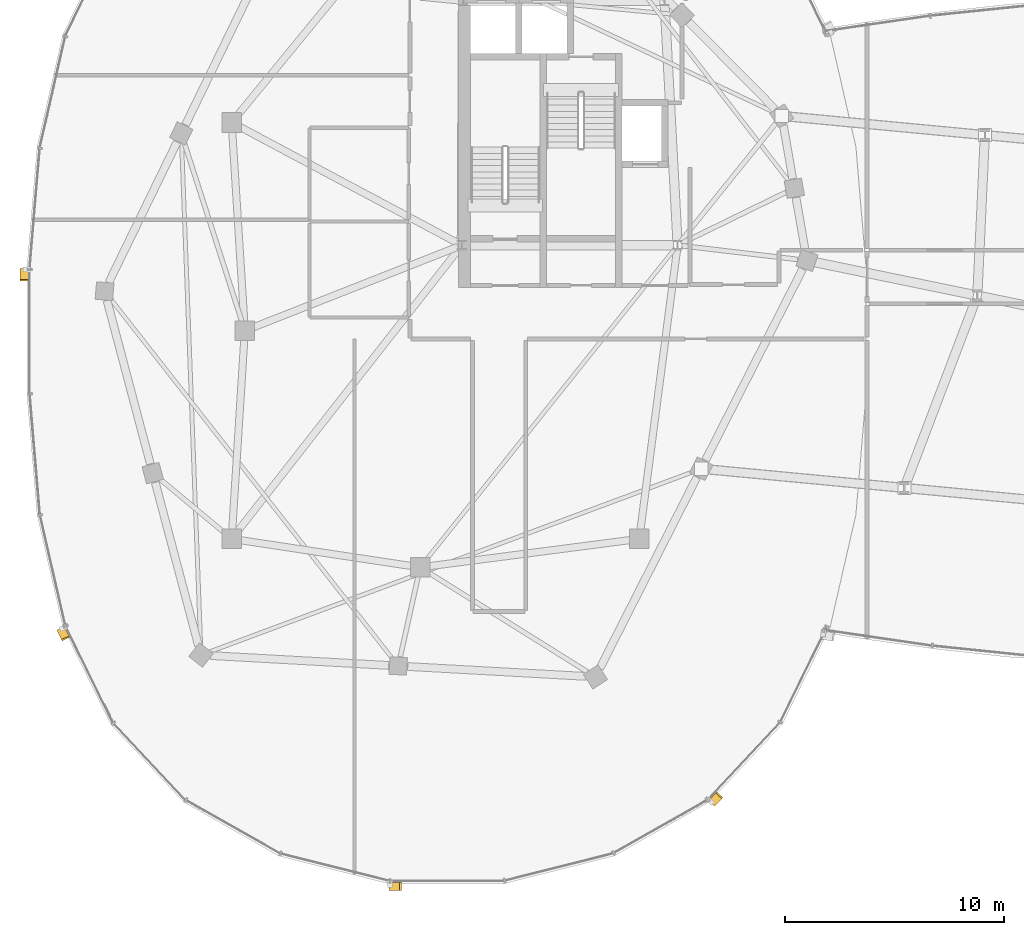
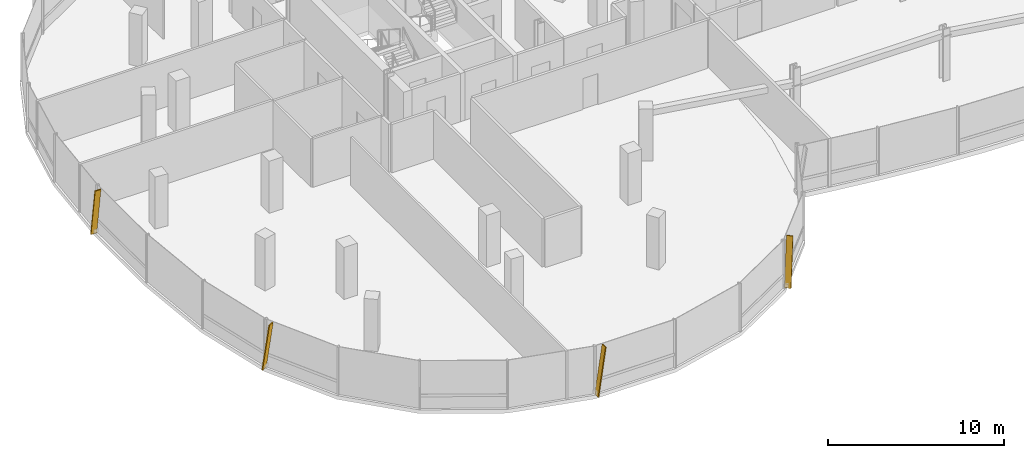
# One storey, part 20 of 25: 4 shading devices.
"""IFC4 building model written with IfcOpenShell, lengths in metres."""

from ifc_helpers import new_model, si_unit, direction, frame, origin, origin_2d, place, context, subcontext, project, spatial, rectangle, extrude, material, material_profile, profile_set, type_object, element, save


model = new_model("IFC4")

# Units and contexts
model_context = context("Model", 3, precision=1e-05, world=origin(), true_north=direction((0.0, 1.0)))
body_context = subcontext(model_context, "Body", "Model", "MODEL_VIEW")
ifc_project = project(units=[si_unit("LENGTHUNIT", "METRE"), si_unit("AREAUNIT", "SQUARE_METRE"), si_unit("VOLUMEUNIT", "CUBIC_METRE"), si_unit("PLANEANGLEUNIT", "RADIAN"), si_unit("MASSUNIT", "GRAM", prefix="KILO"), si_unit("THERMODYNAMICTEMPERATUREUNIT", "KELVIN"), si_unit("POWERUNIT", "WATT")], contexts=[model_context])

# Site, building, storey
site_placement = place(None, origin())
site = spatial("IfcSite", under=ifc_project, at=site_placement, CompositionType="ELEMENT")
building_placement = place(site_placement, origin())
building = spatial("IfcBuilding", under=site, at=building_placement, Name="Cundina Bronze Exchange", CompositionType="ELEMENT")
storey_placement = place(building_placement, frame((0.0, 0.0, 239.60009765625)))
storey = spatial("IfcBuildingStorey", under=building, at=storey_placement, Name="L63", CompositionType="ELEMENT", Elevation=239.60009765625)

# Shading devices
ifc_material = material(Name="Anodised Bronze Aluminium 6063-T6", Category="aluminium")
ifc_material_profile = material_profile(ifc_material, rectangle(XDim=0.070068359375, YDim=0.3798828125, at=origin_2d()), Name="FIN70X380", Category="aluminium")
ifc_profile_set = profile_set([ifc_material_profile], Name="Anodised Bronze Aluminium 6063-T6")
shading_device_type = type_object("IfcShadingDeviceType", Name="SHD-FIN-BRZ380", PredefinedType="USERDEFINED", material=ifc_profile_set)
for number, where, z_axis, x_axis, name in (
    (1, (-51.26904296875, 2.79150390625, 0.02001953125), (0.0, -0.143942452949, 0.989586060047), (0.0, 0.989586060047, 0.143942452949), "L63 Diagonal Bronze Solar Fin 5"),
    (2, (-49.593505859375, -13.614013671875, 0.02001953125), (0.06340496231, -0.129226049049, 0.989585993738), (-0.435899643486, 0.888409781469, 0.143942908816), "L63 Diagonal Bronze Solar Fin 1"),
    (3, (-34.576416015625, -25.360107421875, 0.02001953125), (0.143942452949, 0.0, 0.989586060047), (-0.989586060047, 0.0, 0.143942452949), "L63 Diagonal Bronze Solar Fin 5"),
    (4, (-19.877685546875, -21.55078125, 0.02001953125), (0.09854858404, 0.104918366218, 0.989585930081), (-0.677504689193, -0.721295854096, 0.143943346447), "L63 Diagonal Bronze Solar Fin 1"),
):
    element("IfcShadingDevice", number, at=place(storey_placement, frame(where, z_axis=z_axis, x_axis=x_axis)), inside=storey, type_object=shading_device_type, Name=name, ObjectType="FIN", PredefinedType="USERDEFINED", context=body_context, shape_type="SweptSolid", body=[
        extrude(rectangle(XDim=0.070068359375, YDim=0.3798828125, at=origin_2d()), origin(), (0.0, 0.0, 1.0), 3.33447265625),
    ])

save(model, "model.ifc")
